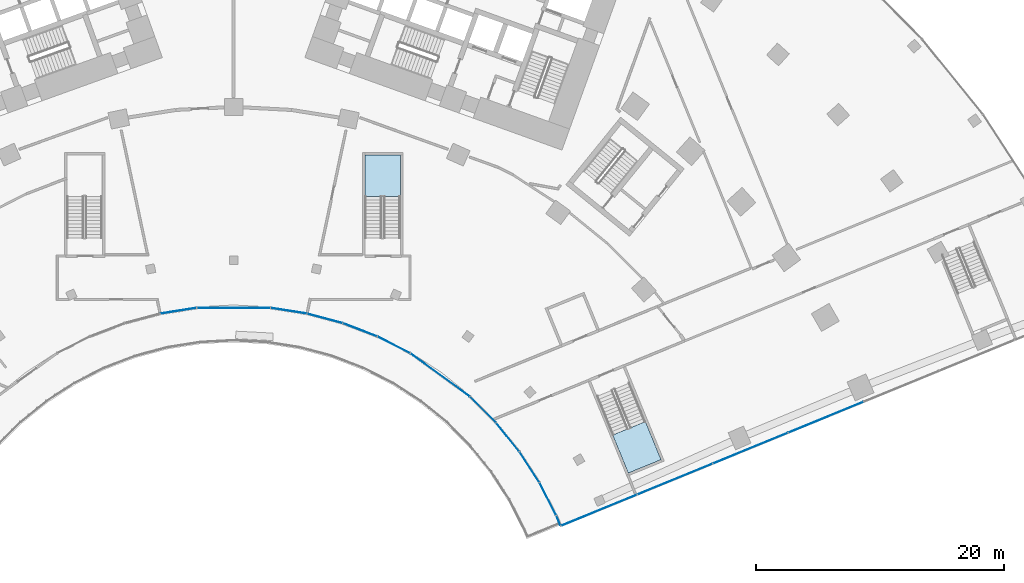
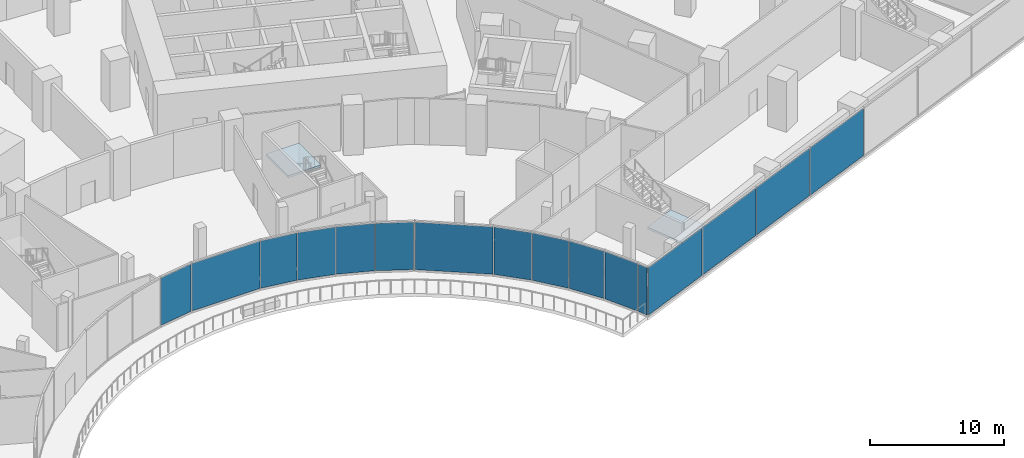
# One storey, part 20 of 39: 16 plates, 2 slabs, 4 elements without a shape of their own.
"""IFC4 building model written with IfcOpenShell, lengths in metres."""

from ifc_helpers import new_model, si_unit, direction, frame, origin, origin_2d, place, context, subcontext, project, spatial, polyline, rectangle, outline, extrude, material, layer, layer_set, type_object, element, aggregate, save


model = new_model("IFC4")

# Units and contexts
model_context = context("Model", 3, precision=1e-05, world=origin(), true_north=direction((0.0, 1.0)))
body_context = subcontext(model_context, "Body", "Model", "MODEL_VIEW")
ifc_project = project(units=[si_unit("LENGTHUNIT", "METRE"), si_unit("AREAUNIT", "SQUARE_METRE"), si_unit("VOLUMEUNIT", "CUBIC_METRE"), si_unit("PLANEANGLEUNIT", "RADIAN"), si_unit("MASSUNIT", "GRAM", prefix="KILO")], contexts=[model_context])

# Site, building, storey
site_placement = place(None, origin())
site = spatial("IfcSite", under=ifc_project, at=site_placement, CompositionType="ELEMENT")
building_placement = place(site_placement, origin())
building = spatial("IfcBuilding", under=site, at=building_placement, Name="Stone Belt Terrace Tower", CompositionType="ELEMENT")
storey_placement = place(building_placement, frame((0.0, 0.0, 20.800048828125)))
storey = spatial("IfcBuildingStorey", under=building, at=storey_placement, Name="L04", CompositionType="ELEMENT", Elevation=20.800048828125)

# Curtain wall, plates
ifc_material_1 = material(Name="Aluminium 6063-T6 anodised frame", Category="aluminium")
ifc_layer_1 = layer(ifc_material_1, 0.14990234375)
ifc_layer_set_1 = layer_set([ifc_layer_1], Name="CW-D podium shopfront")
curtain_wall_type = type_object("IfcCurtainWallType", Name="CW-D podium shopfront", PredefinedType="NOTDEFINED", material=ifc_layer_set_1)
curtain_wall_1_placement = place(storey_placement, origin())
curtain_wall_1 = element("IfcCurtainWall", 1, at=curtain_wall_1_placement, inside=storey, type_object=curtain_wall_type, Name="CW-D concave face L04", PredefinedType="NOTDEFINED")
ifc_material_2 = material(Name="Clear double glazed unit")
ifc_layer_2 = layer(ifc_material_2, 0.031982421875)
ifc_layer_set_2 = layer_set([ifc_layer_2], Name="CW-D glass panel 32")
plate_type = type_object("IfcPlateType", Name="CW-D glass panel 32", PredefinedType="CURTAIN_PANEL", material=ifc_layer_set_2)
plate_1_placement = place(storey_placement, frame((-4.4423828125, 28.0361328125, 0.14013671875), z_axis=(0.0, 0.0, 1.0), x_axis=(0.987688340595, 0.15643446504, 0.0)))
plate_1 = element("IfcPlate", 2, at=plate_1_placement, type_object=plate_type, Name="CW-D panel 10.1", PredefinedType="CURTAIN_PANEL", context=body_context, shape_type="SweptSolid", body=[
    extrude(rectangle(XDim=2.903564453125, YDim=0.031982421875, at=origin_2d()), origin(), (0.0, 0.0, 1.0), 4.320068359375),
])
plate_2_placement = place(storey_placement, frame((0.0, 28.268798828125, 0.14013671875), z_axis=(0.0, 0.0, 1.0), x_axis=(1.0, 0.0, 0.0)))
plate_2 = element("IfcPlate", 3, at=plate_2_placement, type_object=plate_type, Name="CW-D panel 11.1", PredefinedType="CURTAIN_PANEL", context=body_context, shape_type="SweptSolid", body=[
    extrude(rectangle(XDim=5.874755859375, YDim=0.031982421875, at=origin_2d()), origin(), (0.0, 0.0, 1.0), 4.320068359375),
])
plate_3_placement = place(storey_placement, frame((4.4423828125, 28.0361328125, 0.14013671875), z_axis=(0.0, 0.0, 1.0), x_axis=(0.987688340595, -0.15643446504, 0.0)))
plate_3 = element("IfcPlate", 4, at=plate_3_placement, type_object=plate_type, Name="CW-D panel 12.1", PredefinedType="CURTAIN_PANEL", context=body_context, shape_type="SweptSolid", body=[
    extrude(rectangle(XDim=2.903564453125, YDim=0.031982421875, at=origin_2d()), origin(), (0.0, 0.0, 1.0), 4.320068359375),
])
plate_4_placement = place(storey_placement, frame((7.346923828125, 27.418701171875, 0.14013671875), z_axis=(0.0, 0.0, 1.0), x_axis=(0.965925826289, -0.258819045103, 0.0)))
plate_4 = element("IfcPlate", 5, at=plate_4_placement, type_object=plate_type, Name="CW-D panel 13.1", PredefinedType="CURTAIN_PANEL", context=body_context, shape_type="SweptSolid", body=[
    extrude(rectangle(XDim=2.907470703125, YDim=0.031982421875, at=origin_2d()), origin(), (0.0, 0.0, 1.0), 4.320068359375),
])
plate_5_placement = place(storey_placement, frame((10.172607421875, 26.50048828125, 0.14013671875), z_axis=(0.0, 0.0, 1.0), x_axis=(0.933580426497, -0.358367949545, 0.0)))
plate_5 = element("IfcPlate", 6, at=plate_5_placement, type_object=plate_type, Name="CW-D panel 14.1", PredefinedType="CURTAIN_PANEL", context=body_context, shape_type="SweptSolid", body=[
    extrude(rectangle(XDim=2.907470703125, YDim=0.031982421875, at=origin_2d()), origin(), (0.0, 0.0, 1.0), 4.320068359375),
])
plate_6_placement = place(storey_placement, frame((12.88525390625, 25.29296875, 0.14013671875), z_axis=(0.0, 0.0, 1.0), x_axis=(0.891006524188, -0.45399049974, 0.0)))
plate_6 = element("IfcPlate", 7, at=plate_6_placement, type_object=plate_type, Name="CW-D panel 15.1", PredefinedType="CURTAIN_PANEL", context=body_context, shape_type="SweptSolid", body=[
    extrude(rectangle(XDim=2.903564453125, YDim=0.031982421875, at=origin_2d()), origin(), (0.0, 0.0, 1.0), 4.320068359375),
])
plate_7_placement = place(storey_placement, frame((16.615966796875, 22.8701171875, 0.14013671875), z_axis=(0.0, 0.0, 1.0), x_axis=(0.809016994375, -0.587785252292, 0.0)))
plate_7 = element("IfcPlate", 8, at=plate_7_placement, type_object=plate_type, Name="CW-D panel 16.1", PredefinedType="CURTAIN_PANEL", context=body_context, shape_type="SweptSolid", body=[
    extrude(rectangle(XDim=5.874755859375, YDim=0.031982421875, at=origin_2d()), origin(), (0.0, 0.0, 1.0), 4.320068359375),
])
plate_8_placement = place(storey_placement, frame((20.0732421875, 20.070556640625, 0.14013671875), z_axis=(0.0, 0.0, 1.0), x_axis=(0.707106781187, -0.707106781187, 0.0)))
plate_8 = element("IfcPlate", 9, at=plate_8_placement, type_object=plate_type, Name="CW-D panel 17.1", PredefinedType="CURTAIN_PANEL", context=body_context, shape_type="SweptSolid", body=[
    extrude(rectangle(XDim=2.903564453125, YDim=0.031982421875, at=origin_2d()), origin(), (0.0, 0.0, 1.0), 4.320068359375),
])
plate_9_placement = place(storey_placement, frame((22.06005859375, 17.86376953125, 0.14013671875), z_axis=(0.0, 0.0, 1.0), x_axis=(0.62932039105, -0.777145961457, 0.0)))
plate_9 = element("IfcPlate", 10, at=plate_9_placement, type_object=plate_type, Name="CW-D panel 18.1", PredefinedType="CURTAIN_PANEL", context=body_context, shape_type="SweptSolid", body=[
    extrude(rectangle(XDim=2.907470703125, YDim=0.031982421875, at=origin_2d()), origin(), (0.0, 0.0, 1.0), 4.320068359375),
])
plate_10_placement = place(storey_placement, frame((23.806396484375, 15.460205078125, 0.14013671875), z_axis=(0.0, 0.0, 1.0), x_axis=(0.544639035015, -0.838670567945, 0.0)))
plate_10 = element("IfcPlate", 11, at=plate_10_placement, type_object=plate_type, Name="CW-D panel 19.1", PredefinedType="CURTAIN_PANEL", context=body_context, shape_type="SweptSolid", body=[
    extrude(rectangle(XDim=2.907470703125, YDim=0.031982421875, at=origin_2d()), origin(), (0.0, 0.0, 1.0), 4.320068359375),
])
plate_11_placement = place(storey_placement, frame((25.292724609375, 12.8857421875, 0.14013671875), z_axis=(0.0, 0.0, 1.0), x_axis=(0.45399049974, -0.891006524188, 0.0)))
plate_11 = element("IfcPlate", 12, at=plate_11_placement, type_object=plate_type, Name="CW-D panel 20.1", PredefinedType="CURTAIN_PANEL", context=body_context, shape_type="SweptSolid", body=[
    extrude(rectangle(XDim=2.910400390625, YDim=0.031982421875, at=origin_2d()), origin(), (0.0, 0.0, 1.0), 4.320068359375),
])
plate_12_placement = place(storey_placement, frame((26.141357421875, 11.15478515625, 0.14013671875), z_axis=(0.0, 0.0, 1.0), x_axis=(0.393033792222, -0.919524028056, 0.0)))
plate_12 = element("IfcPlate", 13, at=plate_12_placement, type_object=plate_type, Name="CW-D panel 21.1", PredefinedType="CURTAIN_PANEL", context=body_context, shape_type="SweptSolid", body=[
    extrude(rectangle(XDim=0.81689453125, YDim=0.031982421875, at=origin_2d()), origin(), (0.0, 0.0, 1.0), 4.320068359375),
])
aggregate(curtain_wall_1, [plate_1, plate_2, plate_3, plate_4, plate_5, plate_6, plate_7, plate_8, plate_9, plate_10, plate_11, plate_12])

curtain_wall_2_placement = place(storey_placement, origin())
curtain_wall_2 = element("IfcCurtainWall", 14, at=curtain_wall_2_placement, inside=storey, type_object=curtain_wall_type, Name="CW-D end face L04", PredefinedType="NOTDEFINED")
plate_13_placement = place(storey_placement, frame((29.42578125, 11.9794921875, 0.14013671875), z_axis=(0.0, 0.0, 1.0), x_axis=(0.925297074342, 0.379243093825, 0.0)))
plate_13 = element("IfcPlate", 15, at=plate_13_placement, type_object=plate_type, Name="CW-D panel 1.1", PredefinedType="CURTAIN_PANEL", context=body_context, shape_type="SweptSolid", body=[
    extrude(rectangle(XDim=6.541259765625, YDim=0.031982421875, at=origin_2d()), origin(), (0.0, 0.0, 1.0), 4.320068359375),
])
plate_14_placement = place(storey_placement, frame((35.520263671875, 14.477294921875, 0.14013671875), z_axis=(0.0, 0.0, 1.0), x_axis=(0.925297074342, 0.379243093825, 0.0)))
plate_14 = element("IfcPlate", 16, at=plate_14_placement, type_object=plate_type, Name="CW-D panel 2.1", PredefinedType="CURTAIN_PANEL", context=body_context, shape_type="SweptSolid", body=[
    extrude(rectangle(XDim=6.511474609375, YDim=0.031982421875, at=origin_2d()), origin(), (0.0, 0.0, 1.0), 4.320068359375),
])
plate_15_placement = place(storey_placement, frame((41.600830078125, 16.969482421875, 0.14013671875), z_axis=(0.0, 0.0, 1.0), x_axis=(0.925297074342, 0.379243093825, 0.0)))
plate_15 = element("IfcPlate", 17, at=plate_15_placement, type_object=plate_type, Name="CW-D panel 3.1", PredefinedType="CURTAIN_PANEL", context=body_context, shape_type="SweptSolid", body=[
    extrude(rectangle(XDim=6.511474609375, YDim=0.031982421875, at=origin_2d()), origin(), (0.0, 0.0, 1.0), 4.320068359375),
])
plate_16_placement = place(storey_placement, frame((47.68115234375, 19.461669921875, 0.14013671875), z_axis=(0.0, 0.0, 1.0), x_axis=(0.925297074342, 0.379243093825, 0.0)))
plate_16 = element("IfcPlate", 18, at=plate_16_placement, type_object=plate_type, Name="CW-D panel 4.1", PredefinedType="CURTAIN_PANEL", context=body_context, shape_type="SweptSolid", body=[
    extrude(rectangle(XDim=6.511474609375, YDim=0.031982421875, at=origin_2d()), origin(), (0.0, 0.0, 1.0), 4.320068359375),
])
aggregate(curtain_wall_2, [plate_13, plate_14, plate_15, plate_16])

# Stair, slab
ifc_material_3 = material(Name="Concrete B30", Category="concrete")
stair_type = type_object("IfcStairType", Name="Podium stair concrete B30", PredefinedType="HALF_TURN_STAIR", material=ifc_material_3)
stair_1_placement = place(storey_placement, origin())
stair_1 = element("IfcStair", 19, at=stair_1_placement, inside=storey, type_object=stair_type, Name="L04 podium exit stair 3", PredefinedType="HALF_TURN_STAIR")
ifc_layer_3 = layer(ifc_material_3, 0.199951171875)
ifc_layer_set_3 = layer_set([ifc_layer_3], Name="Podium stair landing concrete B30")
slab_type = type_object("IfcSlabType", Name="Podium stair landing concrete B30", PredefinedType="LANDING", material=ifc_layer_set_3)
slab_1_placement = place(storey_placement, frame((0.0, 0.0, 2.099853515625)))
slab_1 = element("IfcSlab", 20, at=slab_1_placement, type_object=slab_type, Name="PS3 landing 1", PredefinedType="LANDING", context=body_context, shape_type="SweptSolid", body=[
    extrude(outline(polyline([(30.515625, 18.032958984375), (31.772216796875, 14.967529296875), (34.4091796875, 16.04833984375), (33.15283203125, 19.11376953125), (30.515625, 18.032958984375)])), origin(), (0.0, 0.0, 1.0), 0.2001953125),
])
aggregate(stair_1, [slab_1])

stair_2_placement = place(storey_placement, origin())
stair_2 = element("IfcStair", 21, at=stair_2_placement, inside=storey, type_object=stair_type, Name="L04 podium exit stair 6", PredefinedType="HALF_TURN_STAIR")
slab_2_placement = place(storey_placement, frame((0.0, 0.0, 2.099853515625)))
slab_2 = element("IfcSlab", 22, at=slab_2_placement, type_object=slab_type, Name="PS6 landing 1", PredefinedType="LANDING", context=body_context, shape_type="SweptSolid", body=[
    extrude(outline(polyline([(13.425048828125, 37.2470703125), (13.425048828125, 40.56005859375), (10.574951171875, 40.56005859375), (10.574951171875, 37.2470703125), (13.425048828125, 37.2470703125)])), origin(), (0.0, 0.0, 1.0), 0.2001953125),
])
aggregate(stair_2, [slab_2])

save(model, "model.ifc")
